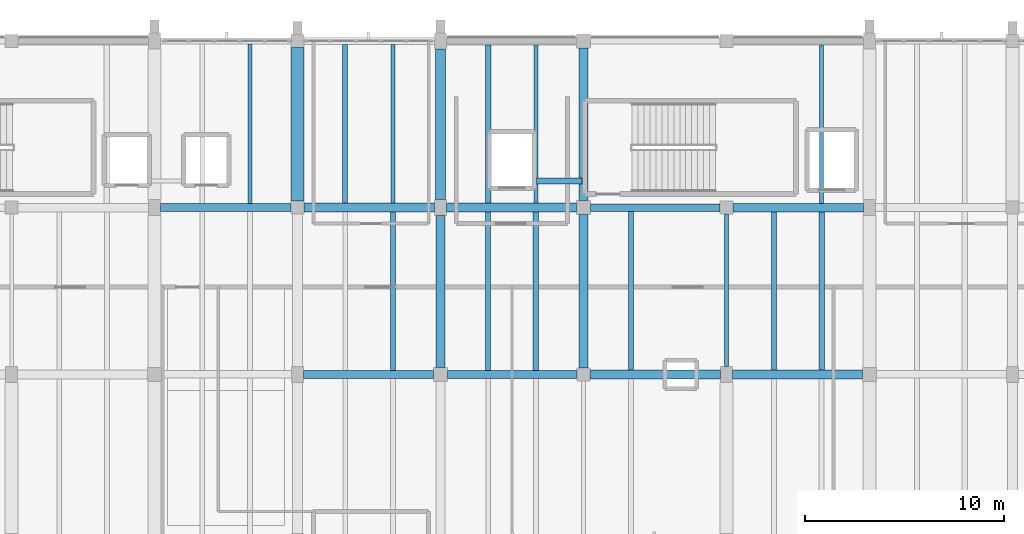
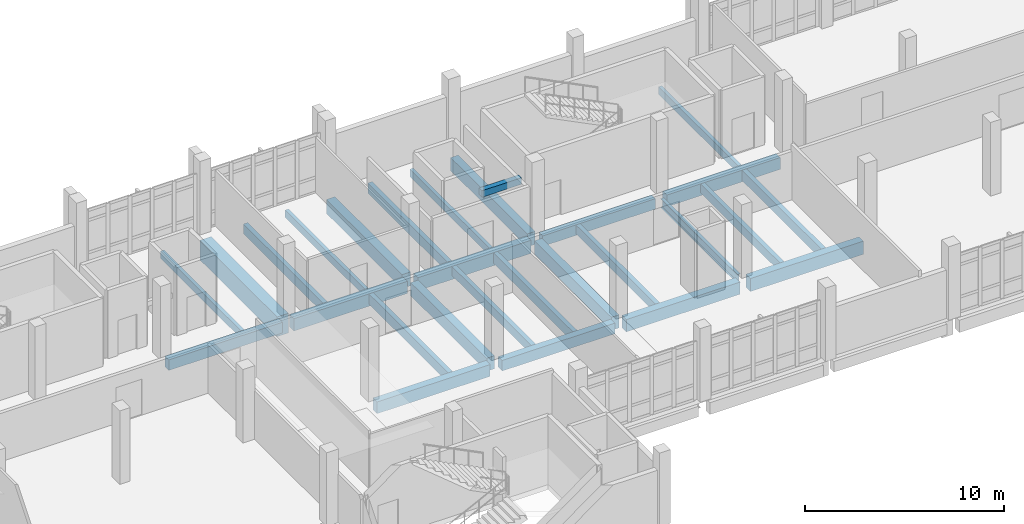
# One storey, part 29 of 57: 28 beams.
"""IFC4 building model written with IfcOpenShell, lengths in metres."""

from ifc_helpers import new_model, si_unit, direction, frame, origin, origin_2d, place, context, subcontext, project, spatial, rectangle, i_section, extrude, material, material_profile, profile_set, type_object, element, save


model = new_model("IFC4")

# Units and contexts
model_context = context("Model", 3, precision=1e-05, world=origin(), true_north=direction((0.0, 1.0)))
body_context = subcontext(model_context, "Body", "Model", "MODEL_VIEW")
ifc_project = project(units=[si_unit("LENGTHUNIT", "METRE"), si_unit("AREAUNIT", "SQUARE_METRE"), si_unit("VOLUMEUNIT", "CUBIC_METRE"), si_unit("PLANEANGLEUNIT", "RADIAN"), si_unit("MASSUNIT", "GRAM", prefix="KILO")], contexts=[model_context])

# Site, building, storey
site_placement = place(None, origin())
site = spatial("IfcSite", under=ifc_project, at=site_placement, CompositionType="ELEMENT")
building_placement = place(site_placement, origin())
building = spatial("IfcBuilding", under=site, at=building_placement, Name="Kalluvel Institute of Natural Sciences", CompositionType="ELEMENT")
storey_placement = place(building_placement, frame((0.0, 0.0, 23.39990234375)))
storey = spatial("IfcBuildingStorey", under=building, at=storey_placement, Name="L05", CompositionType="ELEMENT", Elevation=23.39990234375)

# Beams
ifc_material_1 = material(Name="Steel E350 Grade 350", Category="steel")
ifc_material_profile_1 = material_profile(ifc_material_1, i_section(OverallWidth=0.18994140625, OverallDepth=0.550048828125, WebThickness=0.01123046875, FlangeThickness=0.019287109375, FilletRadius=0.01806640625, at=origin_2d()), Name="ISMB 550")
ifc_profile_set_1 = profile_set([ifc_material_profile_1], Name="Steel E350 Grade 350")
beam_type_1 = type_object("IfcBeamType", Name="BM-ISMB550", PredefinedType="BEAM", material=ifc_profile_set_1)
beam_1_placement = place(storey_placement, frame((71.60009765625, 111.60009765625, -0.594970703125), z_axis=(0.0, 1.0, 0.0), x_axis=(-1.0, 0.0, 0.0)))
element("IfcBeam", 1, at=beam_1_placement, inside=storey, type_object=beam_type_1, Name="L05 girder GIR-L05-NS-X716-Y1112", PredefinedType="BEAM", context=body_context, shape_type="SweptSolid", body=[
    extrude(i_section(OverallWidth=0.18994140625, OverallDepth=0.550048828125, WebThickness=0.01123046875, FlangeThickness=0.019287109375, FilletRadius=0.01806640625, at=origin_2d()), origin(), (0.0, 0.0, 1.0), 7.6748046875),
])
ifc_material_2 = material(Name="Concrete M40", Category="concrete")
ifc_material_profile_2 = material_profile(ifc_material_2, rectangle(XDim=0.3798828125, YDim=0.639892578125, at=origin_2d()), Name="RCB 380x640")
ifc_profile_set_2 = profile_set([ifc_material_profile_2], Name="Concrete M40")
beam_type_2 = type_object("IfcBeamType", Name="BM-RC380x640", PredefinedType="BEAM", material=ifc_profile_set_2)
beam_2_placement = place(storey_placement, frame((64.75, 119.60009765625, -0.639892578125), z_axis=(1.0, 0.0, 0.0), x_axis=(0.0, 1.0, 0.0)))
element("IfcBeam", 2, at=beam_2_placement, inside=storey, type_object=beam_type_2, Name="L05 girder GIR-L05-EW-X644-Y1196", PredefinedType="BEAM", context=body_context, shape_type="SweptSolid", body=[
    extrude(rectangle(XDim=0.3798828125, YDim=0.639892578125, at=origin_2d()), origin(), (0.0, 0.0, 1.0), 6.52490234375),
])
ifc_material_profile_3 = material_profile(ifc_material_2, rectangle(XDim=0.39990234375, YDim=0.64990234375, at=origin_2d()), Name="RCB 400x650")
ifc_profile_set_3 = profile_set([ifc_material_profile_3], Name="Concrete M40")
beam_type_3 = type_object("IfcBeamType", Name="BM-RC400x650", PredefinedType="BEAM", material=ifc_profile_set_3)
beam_3_placement = place(storey_placement, frame((57.550048828125, 111.199951171875, -0.64501953125), z_axis=(1.0, 0.0, 0.0), x_axis=(0.0, 1.0, 0.0)))
element("IfcBeam", 3, at=beam_3_placement, inside=storey, type_object=beam_type_3, Name="L05 girder GIR-L05-EW-X572-Y1112", PredefinedType="BEAM", context=body_context, shape_type="SweptSolid", body=[
    extrude(rectangle(XDim=0.39990234375, YDim=0.64990234375, at=origin_2d()), origin(), (0.0, 0.0, 1.0), 6.52490234375),
])
beam_4_placement = place(storey_placement, frame((43.10009765625, 119.60009765625, -0.64501953125), z_axis=(1.0, 0.0, 0.0), x_axis=(0.0, 1.0, 0.0)))
element("IfcBeam", 4, at=beam_4_placement, inside=storey, type_object=beam_type_3, Name="L05 girder GIR-L05-EW-X428-Y1196", PredefinedType="BEAM", context=body_context, shape_type="SweptSolid", body=[
    extrude(rectangle(XDim=0.39990234375, YDim=0.64990234375, at=origin_2d()), origin(), (0.0, 0.0, 1.0), 6.574951171875),
])
ifc_material_profile_4 = material_profile(ifc_material_2, rectangle(XDim=0.419921875, YDim=0.719970703125, at=origin_2d()), Name="RCB 420x720")
ifc_profile_set_4 = profile_set([ifc_material_profile_4], Name="Concrete M40")
beam_type_4 = type_object("IfcBeamType", Name="BM-RC420x720", PredefinedType="BEAM", material=ifc_profile_set_4)
beam_5_placement = place(storey_placement, frame((50.300048828125, 111.199951171875, -0.679931640625), z_axis=(1.0, 0.0, 0.0), x_axis=(0.0, 1.0, 0.0)))
element("IfcBeam", 5, at=beam_5_placement, inside=storey, type_object=beam_type_4, Name="L05 girder GIR-L05-EW-X500-Y1112", PredefinedType="BEAM", context=body_context, shape_type="SweptSolid", body=[
    extrude(rectangle(XDim=0.419921875, YDim=0.719970703125, at=origin_2d()), origin(), (0.0, 0.0, 1.0), 6.550048828125),
])
beam_6_placement = place(storey_placement, frame((71.925048828125, 119.60009765625, -0.679931640625), z_axis=(1.0, 0.0, 0.0), x_axis=(0.0, 1.0, 0.0)))
element("IfcBeam", 6, at=beam_6_placement, inside=storey, type_object=beam_type_4, Name="L05 girder GIR-L05-EW-X716-Y1196", PredefinedType="BEAM", context=body_context, shape_type="SweptSolid", body=[
    extrude(rectangle(XDim=0.419921875, YDim=0.719970703125, at=origin_2d()), origin(), (0.0, 0.0, 1.0), 6.574951171875),
])
ifc_material_profile_5 = material_profile(ifc_material_2, rectangle(XDim=0.449951171875, YDim=0.75, at=origin_2d()), Name="RCB 450x750")
ifc_profile_set_5 = profile_set([ifc_material_profile_5], Name="Concrete M40")
beam_type_5 = type_object("IfcBeamType", Name="BM-RC450x750", PredefinedType="BEAM", material=ifc_profile_set_5)
for number, where, z_axis, x_axis, name in (
    (7, (64.72509765625, 111.199951171875, -0.69482421875), (1.0, 0.0, 0.0), (0.0, 1.0, 0.0), "L05 girder GIR-L05-EW-X644-Y1112"),
    (8, (50.324951171875, 119.60009765625, -0.69482421875), (1.0, 0.0, 0.0), (0.0, 1.0, 0.0), "L05 girder GIR-L05-EW-X500-Y1196"),
):
    element("IfcBeam", number, at=place(storey_placement, frame(where, z_axis=z_axis, x_axis=x_axis)), inside=storey, type_object=beam_type_5, Name=name, PredefinedType="BEAM", context=body_context, shape_type="SweptSolid", body=[
        extrude(rectangle(XDim=0.449951171875, YDim=0.75, at=origin_2d()), origin(), (0.0, 0.0, 1.0), 6.574951171875),
    ])
ifc_material_profile_6 = material_profile(ifc_material_2, rectangle(XDim=0.449951171875, YDim=0.800048828125, at=origin_2d()), Name="RCB 450x800")
ifc_profile_set_6 = profile_set([ifc_material_profile_6], Name="Concrete M40")
beam_type_6 = type_object("IfcBeamType", Name="BM-RC450x800", PredefinedType="BEAM", material=ifc_profile_set_6)
for number, where, z_axis, x_axis, name in (
    (9, (71.89990234375, 111.199951171875, -0.719970703125), (1.0, 0.0, 0.0), (0.0, 1.0, 0.0), "L05 girder GIR-L05-EW-X716-Y1112"),
    (10, (57.5, 119.60009765625, -0.719970703125), (1.0, 0.0, 0.0), (0.0, 1.0, 0.0), "L05 girder GIR-L05-EW-X572-Y1196"),
):
    element("IfcBeam", number, at=place(storey_placement, frame(where, z_axis=z_axis, x_axis=x_axis)), inside=storey, type_object=beam_type_6, Name=name, PredefinedType="BEAM", context=body_context, shape_type="SweptSolid", body=[
        extrude(rectangle(XDim=0.449951171875, YDim=0.800048828125, at=origin_2d()), origin(), (0.0, 0.0, 1.0), 6.550048828125),
    ])
beam_7_placement = place(storey_placement, frame((57.199951171875, 111.550048828125, -0.719970703125), z_axis=(0.0, 1.0, 0.0), x_axis=(-1.0, 0.0, 0.0)))
element("IfcBeam", 11, at=beam_7_placement, inside=storey, type_object=beam_type_6, Name="L05 girder GIR-L05-NS-X572-Y1112", PredefinedType="BEAM", context=body_context, shape_type="SweptSolid", body=[
    extrude(rectangle(XDim=0.449951171875, YDim=0.800048828125, at=origin_2d()), origin(), (0.0, 0.0, 1.0), 7.64990234375),
])
beam_8_placement = place(storey_placement, frame((64.39990234375, 111.52490234375, -0.719970703125), z_axis=(0.0, 1.0, 0.0), x_axis=(-1.0, 0.0, 0.0)))
element("IfcBeam", 12, at=beam_8_placement, inside=storey, type_object=beam_type_6, Name="L05 girder GIR-L05-NS-X644-Y1112", PredefinedType="BEAM", context=body_context, shape_type="SweptSolid", body=[
    extrude(rectangle(XDim=0.449951171875, YDim=0.800048828125, at=origin_2d()), origin(), (0.0, 0.0, 1.0), 7.72509765625),
])
beam_9_placement = place(storey_placement, frame((64.39990234375, 119.949951171875, -0.719970703125), z_axis=(0.0, 1.0, 0.0), x_axis=(-1.0, 0.0, 0.0)))
element("IfcBeam", 13, at=beam_9_placement, inside=storey, type_object=beam_type_6, Name="L05 girder GIR-L05-NS-X644-Y1196", PredefinedType="BEAM", context=body_context, shape_type="SweptSolid", body=[
    extrude(rectangle(XDim=0.449951171875, YDim=0.800048828125, at=origin_2d()), origin(), (0.0, 0.0, 1.0), 7.699951171875),
])
ifc_material_3 = material(Name="Concrete M50", Category="concrete")
ifc_material_profile_7 = material_profile(ifc_material_3, rectangle(XDim=0.5, YDim=0.85009765625, at=origin_2d()), Name="RCB 500x850")
ifc_profile_set_7 = profile_set([ifc_material_profile_7], Name="Concrete M50")
beam_type_7 = type_object("IfcBeamType", Name="BM-RC500x850", PredefinedType="BEAM", material=ifc_profile_set_7)
beam_10_placement = place(storey_placement, frame((57.199951171875, 120.0, -0.744873046875), z_axis=(0.0, 1.0, 0.0), x_axis=(-1.0, 0.0, 0.0)))
element("IfcBeam", 14, at=beam_10_placement, inside=storey, type_object=beam_type_7, Name="L05 girder GIR-L05-NS-X572-Y1196", PredefinedType="BEAM", context=body_context, shape_type="SweptSolid", body=[
    extrude(rectangle(XDim=0.5, YDim=0.85009765625, at=origin_2d()), origin(), (0.0, 0.0, 1.0), 7.60009765625),
])
ifc_material_profile_8 = material_profile(ifc_material_3, rectangle(XDim=0.64990234375, YDim=1.199951171875, at=origin_2d()), Name="RCB 650x1200")
ifc_profile_set_8 = profile_set([ifc_material_profile_8], Name="Concrete M50")
beam_type_8 = type_object("IfcBeamType", Name="BM-RC650x1200", PredefinedType="BEAM", material=ifc_profile_set_8)
beam_11_placement = place(storey_placement, frame((50.0, 119.925048828125, -0.919921875), z_axis=(0.0, 1.0, 0.0), x_axis=(-1.0, 0.0, 0.0)))
element("IfcBeam", 15, at=beam_11_placement, inside=storey, type_object=beam_type_8, Name="L05 girder GIR-L05-NS-X500-Y1196", PredefinedType="BEAM", context=body_context, shape_type="SweptSolid", body=[
    extrude(rectangle(XDim=0.64990234375, YDim=1.199951171875, at=origin_2d()), origin(), (0.0, 0.0, 1.0), 7.75),
])
ifc_material_4 = material(Name="Sadarahalli Granite Precast Concrete M45", Category="masonry")
ifc_material_profile_9 = material_profile(ifc_material_4, rectangle(XDim=0.300048828125, YDim=0.39990234375, at=origin_2d()), Name="LIN 300x400")
ifc_profile_set_9 = profile_set([ifc_material_profile_9], Name="Sadarahalli Granite Precast Concrete M45")
beam_type_9 = type_object("IfcBeamType", Name="LN-300x400-EXT", PredefinedType="LINTEL", material=ifc_profile_set_9)
beam_12_placement = place(storey_placement, frame((62.0400390625, 120.949951171875, 2.35009765625), z_axis=(1.0, 0.0, 0.0), x_axis=(0.0, 1.0, 0.0)))
element("IfcBeam", 16, at=beam_12_placement, inside=storey, type_object=beam_type_9, Name="L05 core coupling lintel B", PredefinedType="LINTEL", context=body_context, shape_type="SweptSolid", body=[
    extrude(rectangle(XDim=0.300048828125, YDim=0.39990234375, at=origin_2d()), origin(), (0.0, 0.0, 1.0), 2.2900390625),
])
ifc_material_profile_10 = material_profile(ifc_material_2, rectangle(XDim=0.199951171875, YDim=0.4599609375, at=origin_2d()), Name="WAF 200x460")
ifc_profile_set_10 = profile_set([ifc_material_profile_10], Name="Concrete M40")
beam_type_10 = type_object("IfcBeamType", Name="WJ-200x460", PredefinedType="JOIST", material=ifc_profile_set_10)
beam_13_placement = place(storey_placement, frame((47.60009765625, 119.800048828125, -0.5498046875), z_axis=(0.0, 1.0, 0.0), x_axis=(-1.0, 0.0, 0.0)))
element("IfcBeam", 17, at=beam_13_placement, inside=storey, type_object=beam_type_10, Name="L05 waffle joist RIB-L05-0393", PredefinedType="JOIST", context=body_context, shape_type="SweptSolid", body=[
    extrude(rectangle(XDim=0.199951171875, YDim=0.4599609375, at=origin_2d()), origin(), (0.0, 0.0, 1.0), 8.050048828125),
])
beam_14_placement = place(storey_placement, frame((54.800048828125, 119.824951171875, -0.5498046875), z_axis=(0.0, 1.0, 0.0), x_axis=(-1.0, 0.0, 0.0)))
element("IfcBeam", 18, at=beam_14_placement, inside=storey, type_object=beam_type_10, Name="L05 waffle joist RIB-L05-0399", PredefinedType="JOIST", context=body_context, shape_type="SweptSolid", body=[
    extrude(rectangle(XDim=0.199951171875, YDim=0.4599609375, at=origin_2d()), origin(), (0.0, 0.0, 1.0), 8.0),
])
beam_15_placement = place(storey_placement, frame((62.0, 119.824951171875, -0.5498046875), z_axis=(0.0, 1.0, 0.0), x_axis=(-1.0, 0.0, 0.0)))
element("IfcBeam", 19, at=beam_15_placement, inside=storey, type_object=beam_type_10, Name="L05 waffle joist RIB-L05-0405", PredefinedType="JOIST", context=body_context, shape_type="SweptSolid", body=[
    extrude(rectangle(XDim=0.199951171875, YDim=0.4599609375, at=origin_2d()), origin(), (0.0, 0.0, 1.0), 7.97509765625),
])
beam_16_placement = place(storey_placement, frame((76.39990234375, 119.81005859375, -0.5498046875), z_axis=(0.0, 1.0, 0.0), x_axis=(-1.0, 0.0, 0.0)))
element("IfcBeam", 20, at=beam_16_placement, inside=storey, type_object=beam_type_10, Name="L05 waffle joist RIB-L05-0412", PredefinedType="JOIST", context=body_context, shape_type="SweptSolid", body=[
    extrude(rectangle(XDim=0.199951171875, YDim=0.4599609375, at=origin_2d()), origin(), (0.0, 0.0, 1.0), 7.989990234375),
])
ifc_material_profile_11 = material_profile(ifc_material_2, rectangle(XDim=0.25, YDim=0.550048828125, at=origin_2d()), Name="WAF 250x550")
ifc_profile_set_11 = profile_set([ifc_material_profile_11], Name="Concrete M40")
beam_type_11 = type_object("IfcBeamType", Name="WJ-250x550", PredefinedType="JOIST", material=ifc_profile_set_11)
beam_17_placement = place(storey_placement, frame((59.60009765625, 111.39990234375, -0.594970703125), z_axis=(0.0, 1.0, 0.0), x_axis=(-1.0, 0.0, 0.0)))
element("IfcBeam", 21, at=beam_17_placement, inside=storey, type_object=beam_type_11, Name="L05 waffle joist RIB-L05-0402", PredefinedType="JOIST", context=body_context, shape_type="SweptSolid", body=[
    extrude(rectangle(XDim=0.25, YDim=0.550048828125, at=origin_2d()), origin(), (0.0, 0.0, 1.0), 7.97509765625),
])
beam_18_placement = place(storey_placement, frame((66.800048828125, 111.425048828125, -0.594970703125), z_axis=(0.0, 1.0, 0.0), x_axis=(-1.0, 0.0, 0.0)))
element("IfcBeam", 22, at=beam_18_placement, inside=storey, type_object=beam_type_11, Name="L05 waffle joist RIB-L05-0407", PredefinedType="JOIST", context=body_context, shape_type="SweptSolid", body=[
    extrude(rectangle(XDim=0.25, YDim=0.550048828125, at=origin_2d()), origin(), (0.0, 0.0, 1.0), 7.98486328125),
])
beam_19_placement = place(storey_placement, frame((74.0, 111.425048828125, -0.594970703125), z_axis=(0.0, 1.0, 0.0), x_axis=(-1.0, 0.0, 0.0)))
element("IfcBeam", 23, at=beam_19_placement, inside=storey, type_object=beam_type_11, Name="L05 waffle joist RIB-L05-0410", PredefinedType="JOIST", context=body_context, shape_type="SweptSolid", body=[
    extrude(rectangle(XDim=0.25, YDim=0.550048828125, at=origin_2d()), origin(), (0.0, 0.0, 1.0), 7.96484375),
])
ifc_material_profile_12 = material_profile(ifc_material_2, rectangle(XDim=0.25, YDim=0.60009765625, at=origin_2d()), Name="WAF 250x600")
ifc_profile_set_12 = profile_set([ifc_material_profile_12], Name="Concrete M40")
beam_type_12 = type_object("IfcBeamType", Name="WJ-250x600", PredefinedType="JOIST", material=ifc_profile_set_12)
beam_20_placement = place(storey_placement, frame((52.39990234375, 119.824951171875, -0.619873046875), z_axis=(0.0, 1.0, 0.0), x_axis=(-1.0, 0.0, 0.0)))
element("IfcBeam", 24, at=beam_20_placement, inside=storey, type_object=beam_type_12, Name="L05 waffle joist RIB-L05-0398", PredefinedType="JOIST", context=body_context, shape_type="SweptSolid", body=[
    extrude(rectangle(XDim=0.25, YDim=0.60009765625, at=origin_2d()), origin(), (0.0, 0.0, 1.0), 8.0),
])
ifc_material_profile_13 = material_profile(ifc_material_3, rectangle(XDim=0.260009765625, YDim=0.6201171875, at=origin_2d()), Name="WAF 260x620")
ifc_profile_set_13 = profile_set([ifc_material_profile_13], Name="Concrete M50")
beam_type_13 = type_object("IfcBeamType", Name="WJ-260x620", PredefinedType="JOIST", material=ifc_profile_set_13)
beam_21_placement = place(storey_placement, frame((54.800048828125, 111.409912109375, -0.6298828125), z_axis=(0.0, 1.0, 0.0), x_axis=(-1.0, 0.0, 0.0)))
element("IfcBeam", 25, at=beam_21_placement, inside=storey, type_object=beam_type_13, Name="L05 waffle joist RIB-L05-0397", PredefinedType="JOIST", context=body_context, shape_type="SweptSolid", body=[
    extrude(rectangle(XDim=0.260009765625, YDim=0.6201171875, at=origin_2d()), origin(), (0.0, 0.0, 1.0), 7.965087890625),
])
for number, where, z_axis, x_axis, name in (
    (26, (62.0, 111.39990234375, -0.6298828125), (0.0, 1.0, 0.0), (-1.0, 0.0, 0.0), "L05 waffle joist RIB-L05-0403"),
    (27, (59.60009765625, 119.824951171875, -0.6298828125), (0.0, 1.0, 0.0), (-1.0, 0.0, 0.0), "L05 waffle joist RIB-L05-0404"),
):
    element("IfcBeam", number, at=place(storey_placement, frame(where, z_axis=z_axis, x_axis=x_axis)), inside=storey, type_object=beam_type_13, Name=name, PredefinedType="JOIST", context=body_context, shape_type="SweptSolid", body=[
        extrude(rectangle(XDim=0.260009765625, YDim=0.6201171875, at=origin_2d()), origin(), (0.0, 0.0, 1.0), 7.97509765625),
    ])
beam_22_placement = place(storey_placement, frame((76.39990234375, 111.425048828125, -0.6298828125), z_axis=(0.0, 1.0, 0.0), x_axis=(-1.0, 0.0, 0.0)))
element("IfcBeam", 28, at=beam_22_placement, inside=storey, type_object=beam_type_13, Name="L05 waffle joist RIB-L05-0411", PredefinedType="JOIST", context=body_context, shape_type="SweptSolid", body=[
    extrude(rectangle(XDim=0.260009765625, YDim=0.6201171875, at=origin_2d()), origin(), (0.0, 0.0, 1.0), 7.96484375),
])

save(model, "model.ifc")
